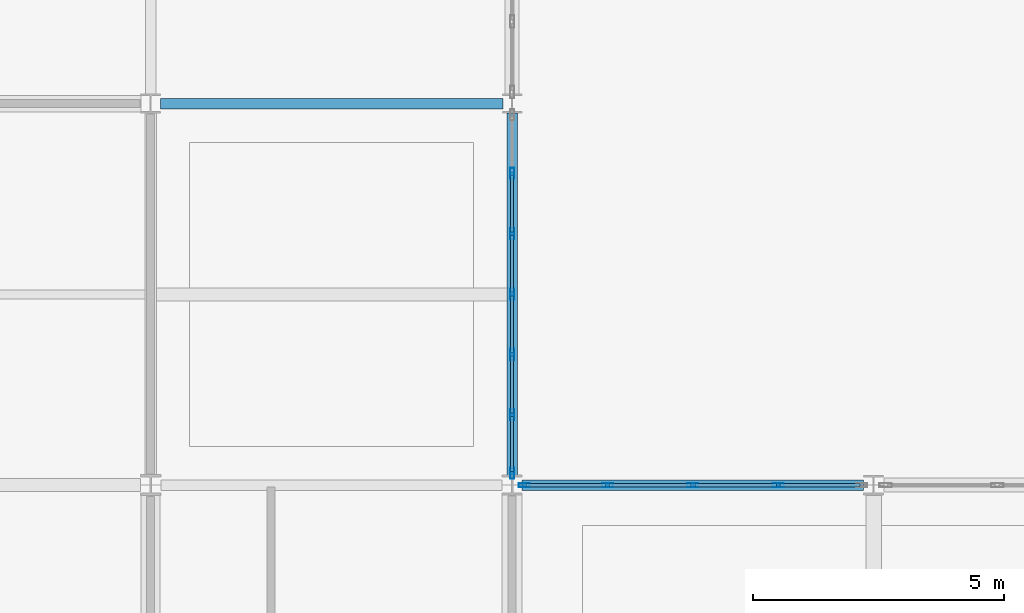
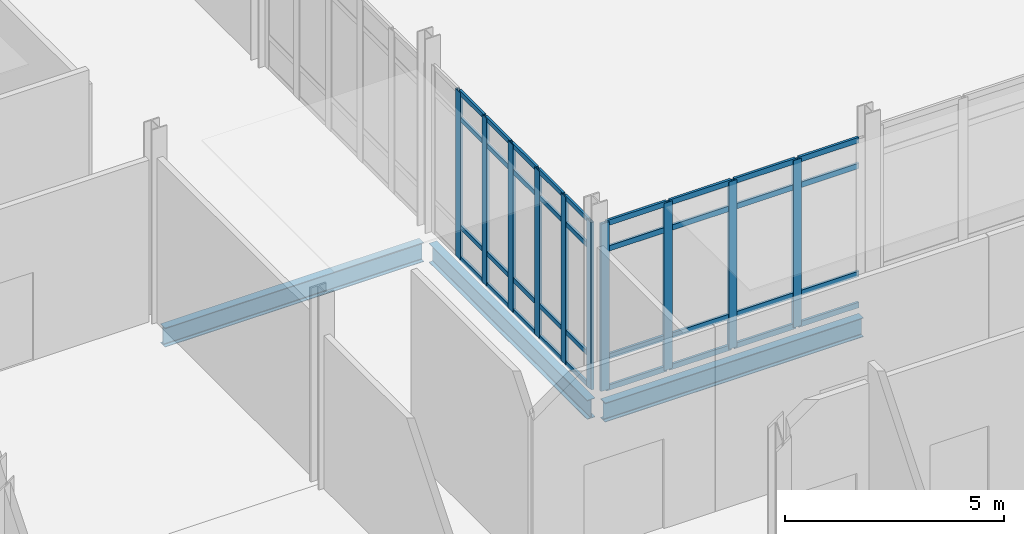
# One storey, part 64 of 229: 46 members, 3 beams, 2 elements without a shape of their own.
"""IFC4 building model written with IfcOpenShell, lengths in metres."""

from ifc_helpers import new_model, si_unit, direction, frame, origin, origin_2d, place, context, subcontext, project, spatial, hollow_rectangle, i_section, extrude, material, layer, layer_set, material_profile, profile_set, type_object, element, aggregate, save


model = new_model("IFC4")

# Units and contexts
model_context = context("Model", 3, precision=1e-05, world=origin(), true_north=direction((0.0, 1.0)))
body_context = subcontext(model_context, "Body", "Model", "MODEL_VIEW")
ifc_project = project(units=[si_unit("LENGTHUNIT", "METRE"), si_unit("AREAUNIT", "SQUARE_METRE"), si_unit("VOLUMEUNIT", "CUBIC_METRE"), si_unit("PLANEANGLEUNIT", "RADIAN"), si_unit("MASSUNIT", "GRAM", prefix="KILO")], contexts=[model_context])

# Site, building, storey
site_placement = place(None, origin())
site = spatial("IfcSite", under=ifc_project, at=site_placement, CompositionType="ELEMENT")
building_placement = place(site_placement, origin())
building = spatial("IfcBuilding", under=site, at=building_placement, Name="Calvrana Isthmian Art Gallery", CompositionType="ELEMENT")
storey_placement = place(building_placement, origin())
storey = spatial("IfcBuildingStorey", under=building, at=storey_placement, Name="L00", CompositionType="ELEMENT", Elevation=0.0)

# Beams
ifc_material_1 = material(Name="Steel ASTM A992 Gr 50", Category="steel")
ifc_material_profile_1 = material_profile(ifc_material_1, i_section(OverallWidth=0.208984375, OverallDepth=0.532958984375, WebThickness=0.01025390625, FlangeThickness=0.015625, FilletRadius=0.02099609375, at=origin_2d()), Name="W21X62")
ifc_profile_set_1 = profile_set([ifc_material_profile_1], Name="Steel ASTM A992 Gr 50")
beam_type = type_object("IfcBeamType", Name="BM-G-W21X62", PredefinedType="BEAM", material=ifc_profile_set_1)
beam_1_placement = place(storey_placement, frame((120.199462890625, 46.800048828125, -0.571533203125), z_axis=(1.0, 0.0, 0.0), x_axis=(0.0, 1.0, 0.0)))
element("IfcBeam", 1, at=beam_1_placement, inside=storey, type_object=beam_type, Name="Girder X L00 16-17/G", PredefinedType="BEAM", context=body_context, shape_type="SweptSolid", body=[
    extrude(i_section(OverallWidth=0.208984375, OverallDepth=0.532958984375, WebThickness=0.01025390625, FlangeThickness=0.015625, FilletRadius=0.02099609375, at=origin_2d()), origin(), (0.0, 0.0, 1.0), 6.797607421875),
])
beam_2_placement = place(storey_placement, frame((112.9970703125, 54.39990234375, -0.571533203125), z_axis=(1.0, 0.0, 0.0), x_axis=(0.0, 1.0, 0.0)))
element("IfcBeam", 2, at=beam_2_placement, inside=storey, type_object=beam_type, Name="Girder X L00 15-16/H", PredefinedType="BEAM", context=body_context, shape_type="SweptSolid", body=[
    extrude(i_section(OverallWidth=0.208984375, OverallDepth=0.532958984375, WebThickness=0.01025390625, FlangeThickness=0.015625, FilletRadius=0.02099609375, at=origin_2d()), origin(), (0.0, 0.0, 1.0), 6.81640625),
])
beam_3_placement = place(storey_placement, frame((120.0, 46.9970703125, -0.571533203125), z_axis=(0.0, 1.0, 0.0), x_axis=(-1.0, 0.0, 0.0)))
element("IfcBeam", 3, at=beam_3_placement, inside=storey, type_object=beam_type, Name="Girder Y L00 16/G-H", PredefinedType="BEAM", context=body_context, shape_type="SweptSolid", body=[
    extrude(i_section(OverallWidth=0.208984375, OverallDepth=0.532958984375, WebThickness=0.01025390625, FlangeThickness=0.015625, FilletRadius=0.02099609375, at=origin_2d()), origin(), (0.0, 0.0, 1.0), 7.21630859375),
])

# Curtain wall, members
ifc_material_2 = material(Name="Anodized bronze aluminium 6063-T6", Category="aluminium")
ifc_layer_1 = layer(ifc_material_2, 0.179931640625, Name="Anodized bronze aluminium 6063-T6")
ifc_layer_set_1 = layer_set([ifc_layer_1], Name="Anodized bronze aluminium 6063-T6")
curtain_wall_type_1 = type_object("IfcCurtainWallType", Name="CW-STICK-068X47", PredefinedType="NOTDEFINED", material=ifc_layer_set_1)
curtain_wall_1_placement = place(storey_placement, origin())
curtain_wall_1 = element("IfcCurtainWall", 4, at=curtain_wall_1_placement, inside=storey, type_object=curtain_wall_type_1, Name="Curtain wall CW-022", PredefinedType="NOTDEFINED")
ifc_material_profile_2 = material_profile(ifc_material_2, hollow_rectangle(XDim=0.074951171875, YDim=0.219970703125, WallThickness=0.0048828125, at=origin_2d()), Name="CWM75X220")
ifc_profile_set_2 = profile_set([ifc_material_profile_2], Name="Anodized bronze aluminium 6063-T6")
member_type_1 = type_object("IfcMemberType", Name="CWM-CWM75X220", PredefinedType="MULLION", material=ifc_profile_set_2)
member_1_placement = place(storey_placement, frame((120.238037109375, 46.800048828125, 0.0), z_axis=(0.0, 0.0, 1.0), x_axis=(0.0, 1.0, 0.0)))
member_1 = element("IfcMember", 5, at=member_1_placement, type_object=member_type_1, Name="CW-022 mullion 1", PredefinedType="MULLION", context=body_context, shape_type="SweptSolid", body=[
    extrude(hollow_rectangle(XDim=0.074951171875, YDim=0.219970703125, WallThickness=0.0048828125, at=origin_2d()), origin(), (0.0, 0.0, 1.0), 4.657958984375),
])
member_2_placement = place(storey_placement, frame((121.900390625, 46.800048828125, 0.0), z_axis=(0.0, 0.0, 1.0), x_axis=(0.0, 1.0, 0.0)))
member_2 = element("IfcMember", 6, at=member_2_placement, type_object=member_type_1, Name="CW-022 mullion 2", PredefinedType="MULLION", context=body_context, shape_type="SweptSolid", body=[
    extrude(hollow_rectangle(XDim=0.074951171875, YDim=0.219970703125, WallThickness=0.0048828125, at=origin_2d()), origin(), (0.0, 0.0, 1.0), 4.657958984375),
])
member_3_placement = place(storey_placement, frame((123.6005859375, 46.800048828125, 0.0), z_axis=(0.0, 0.0, 1.0), x_axis=(0.0, 1.0, 0.0)))
member_3 = element("IfcMember", 7, at=member_3_placement, type_object=member_type_1, Name="CW-022 mullion 3", PredefinedType="MULLION", context=body_context, shape_type="SweptSolid", body=[
    extrude(hollow_rectangle(XDim=0.074951171875, YDim=0.219970703125, WallThickness=0.0048828125, at=origin_2d()), origin(), (0.0, 0.0, 1.0), 4.657958984375),
])
member_4_placement = place(storey_placement, frame((125.300537109375, 46.800048828125, 0.0), z_axis=(0.0, 0.0, 1.0), x_axis=(0.0, 1.0, 0.0)))
member_4 = element("IfcMember", 8, at=member_4_placement, type_object=member_type_1, Name="CW-022 mullion 4", PredefinedType="MULLION", context=body_context, shape_type="SweptSolid", body=[
    extrude(hollow_rectangle(XDim=0.074951171875, YDim=0.219970703125, WallThickness=0.0048828125, at=origin_2d()), origin(), (0.0, 0.0, 1.0), 4.657958984375),
])

ifc_layer_2 = layer(ifc_material_2, 0.179931640625, Name="Anodized bronze aluminium 6063-T6")
ifc_layer_set_2 = layer_set([ifc_layer_2], Name="Anodized bronze aluminium 6063-T6")
curtain_wall_type_2 = type_object("IfcCurtainWallType", Name="CW-STICK-072X47", PredefinedType="NOTDEFINED", material=ifc_layer_set_2)
curtain_wall_2_placement = place(storey_placement, origin())
curtain_wall_2 = element("IfcCurtainWall", 9, at=curtain_wall_2_placement, inside=storey, type_object=curtain_wall_type_2, Name="Curtain wall CW-076", PredefinedType="NOTDEFINED")
member_5_placement = place(storey_placement, frame((120.0, 53.010009765625, 0.0), z_axis=(0.0, 0.0, 1.0), x_axis=(1.0, 0.0, 0.0)))
member_5 = element("IfcMember", 10, at=member_5_placement, type_object=member_type_1, Name="CW-076 mullion 2", PredefinedType="MULLION", context=body_context, shape_type="SweptSolid", body=[
    extrude(hollow_rectangle(XDim=0.074951171875, YDim=0.219970703125, WallThickness=0.0048828125, at=origin_2d()), origin(), (0.0, 0.0, 1.0), 4.657958984375),
])
member_6_placement = place(storey_placement, frame((120.0, 51.807861328125, 0.0), z_axis=(0.0, 0.0, 1.0), x_axis=(1.0, 0.0, 0.0)))
member_6 = element("IfcMember", 11, at=member_6_placement, type_object=member_type_1, Name="CW-076 mullion 3", PredefinedType="MULLION", context=body_context, shape_type="SweptSolid", body=[
    extrude(hollow_rectangle(XDim=0.074951171875, YDim=0.219970703125, WallThickness=0.0048828125, at=origin_2d()), origin(), (0.0, 0.0, 1.0), 4.657958984375),
])
member_7_placement = place(storey_placement, frame((120.0, 50.605712890625, 0.0), z_axis=(0.0, 0.0, 1.0), x_axis=(1.0, 0.0, 0.0)))
member_7 = element("IfcMember", 12, at=member_7_placement, type_object=member_type_1, Name="CW-076 mullion 4", PredefinedType="MULLION", context=body_context, shape_type="SweptSolid", body=[
    extrude(hollow_rectangle(XDim=0.074951171875, YDim=0.219970703125, WallThickness=0.0048828125, at=origin_2d()), origin(), (0.0, 0.0, 1.0), 4.657958984375),
])
member_8_placement = place(storey_placement, frame((120.0, 49.403564453125, 0.0), z_axis=(0.0, 0.0, 1.0), x_axis=(1.0, 0.0, 0.0)))
member_8 = element("IfcMember", 13, at=member_8_placement, type_object=member_type_1, Name="CW-076 mullion 5", PredefinedType="MULLION", context=body_context, shape_type="SweptSolid", body=[
    extrude(hollow_rectangle(XDim=0.074951171875, YDim=0.219970703125, WallThickness=0.0048828125, at=origin_2d()), origin(), (0.0, 0.0, 1.0), 4.657958984375),
])
member_9_placement = place(storey_placement, frame((120.0, 48.20166015625, 0.0), z_axis=(0.0, 0.0, 1.0), x_axis=(1.0, 0.0, 0.0)))
member_9 = element("IfcMember", 14, at=member_9_placement, type_object=member_type_1, Name="CW-076 mullion 6", PredefinedType="MULLION", context=body_context, shape_type="SweptSolid", body=[
    extrude(hollow_rectangle(XDim=0.074951171875, YDim=0.219970703125, WallThickness=0.0048828125, at=origin_2d()), origin(), (0.0, 0.0, 1.0), 4.657958984375),
])
member_10_placement = place(storey_placement, frame((120.0, 47.037109375, 0.0), z_axis=(0.0, 0.0, 1.0), x_axis=(1.0, 0.0, 0.0)))
member_10 = element("IfcMember", 15, at=member_10_placement, type_object=member_type_1, Name="CW-076 mullion 7", PredefinedType="MULLION", context=body_context, shape_type="SweptSolid", body=[
    extrude(hollow_rectangle(XDim=0.074951171875, YDim=0.219970703125, WallThickness=0.0048828125, at=origin_2d()), origin(), (0.0, 0.0, 1.0), 4.657958984375),
])
ifc_material_profile_3 = material_profile(ifc_material_2, hollow_rectangle(XDim=0.06005859375, YDim=0.1298828125, WallThickness=0.00390625, at=origin_2d()), Name="CWT60X130")
ifc_profile_set_3 = profile_set([ifc_material_profile_3], Name="Anodized bronze aluminium 6063-T6")
member_type_2 = type_object("IfcMemberType", Name="CWT-CWT60X130", PredefinedType="USERDEFINED", material=ifc_profile_set_3)
member_11_placement = place(storey_placement, frame((120.0, 52.972412109375, 0.030029296875), z_axis=(0.0, -1.0, 0.0), x_axis=(1.0, 0.0, 0.0)))
member_11 = element("IfcMember", 16, at=member_11_placement, type_object=member_type_2, Name="CW-076 transom 2.1", ObjectType="TRANSOM", PredefinedType="USERDEFINED", context=body_context, shape_type="SweptSolid", body=[
    extrude(hollow_rectangle(XDim=0.06005859375, YDim=0.1298828125, WallThickness=0.00390625, at=origin_2d()), origin(), (0.0, 0.0, 1.0), 1.127197265625),
])
member_12_placement = place(storey_placement, frame((120.0, 52.972412109375, 0.89990234375), z_axis=(0.0, -1.0, 0.0), x_axis=(1.0, 0.0, 0.0)))
member_12 = element("IfcMember", 17, at=member_12_placement, type_object=member_type_2, Name="CW-076 transom 2.2", ObjectType="TRANSOM", PredefinedType="USERDEFINED", context=body_context, shape_type="SweptSolid", body=[
    extrude(hollow_rectangle(XDim=0.06005859375, YDim=0.1298828125, WallThickness=0.00390625, at=origin_2d()), origin(), (0.0, 0.0, 1.0), 1.127197265625),
])
member_13_placement = place(storey_placement, frame((120.0, 52.972412109375, 3.907958984375), z_axis=(0.0, -1.0, 0.0), x_axis=(1.0, 0.0, 0.0)))
member_13 = element("IfcMember", 18, at=member_13_placement, type_object=member_type_2, Name="CW-076 transom 2.3", ObjectType="TRANSOM", PredefinedType="USERDEFINED", context=body_context, shape_type="SweptSolid", body=[
    extrude(hollow_rectangle(XDim=0.06005859375, YDim=0.1298828125, WallThickness=0.00390625, at=origin_2d()), origin(), (0.0, 0.0, 1.0), 1.127197265625),
])
member_14_placement = place(storey_placement, frame((120.0, 52.972412109375, 4.6279296875), z_axis=(0.0, -1.0, 0.0), x_axis=(1.0, 0.0, 0.0)))
member_14 = element("IfcMember", 19, at=member_14_placement, type_object=member_type_2, Name="CW-076 transom 2.4", ObjectType="TRANSOM", PredefinedType="USERDEFINED", context=body_context, shape_type="SweptSolid", body=[
    extrude(hollow_rectangle(XDim=0.06005859375, YDim=0.1298828125, WallThickness=0.00390625, at=origin_2d()), origin(), (0.0, 0.0, 1.0), 1.127197265625),
])
member_15_placement = place(storey_placement, frame((120.0, 51.770263671875, 0.030029296875), z_axis=(0.0, -1.0, 0.0), x_axis=(1.0, 0.0, 0.0)))
member_15 = element("IfcMember", 20, at=member_15_placement, type_object=member_type_2, Name="CW-076 transom 3.1", ObjectType="TRANSOM", PredefinedType="USERDEFINED", context=body_context, shape_type="SweptSolid", body=[
    extrude(hollow_rectangle(XDim=0.06005859375, YDim=0.1298828125, WallThickness=0.00390625, at=origin_2d()), origin(), (0.0, 0.0, 1.0), 1.126953125),
])
member_16_placement = place(storey_placement, frame((120.0, 51.770263671875, 0.89990234375), z_axis=(0.0, -1.0, 0.0), x_axis=(1.0, 0.0, 0.0)))
member_16 = element("IfcMember", 21, at=member_16_placement, type_object=member_type_2, Name="CW-076 transom 3.2", ObjectType="TRANSOM", PredefinedType="USERDEFINED", context=body_context, shape_type="SweptSolid", body=[
    extrude(hollow_rectangle(XDim=0.06005859375, YDim=0.1298828125, WallThickness=0.00390625, at=origin_2d()), origin(), (0.0, 0.0, 1.0), 1.126953125),
])
member_17_placement = place(storey_placement, frame((120.0, 51.770263671875, 3.907958984375), z_axis=(0.0, -1.0, 0.0), x_axis=(1.0, 0.0, 0.0)))
member_17 = element("IfcMember", 22, at=member_17_placement, type_object=member_type_2, Name="CW-076 transom 3.3", ObjectType="TRANSOM", PredefinedType="USERDEFINED", context=body_context, shape_type="SweptSolid", body=[
    extrude(hollow_rectangle(XDim=0.06005859375, YDim=0.1298828125, WallThickness=0.00390625, at=origin_2d()), origin(), (0.0, 0.0, 1.0), 1.126953125),
])
member_18_placement = place(storey_placement, frame((120.0, 51.770263671875, 4.6279296875), z_axis=(0.0, -1.0, 0.0), x_axis=(1.0, 0.0, 0.0)))
member_18 = element("IfcMember", 23, at=member_18_placement, type_object=member_type_2, Name="CW-076 transom 3.4", ObjectType="TRANSOM", PredefinedType="USERDEFINED", context=body_context, shape_type="SweptSolid", body=[
    extrude(hollow_rectangle(XDim=0.06005859375, YDim=0.1298828125, WallThickness=0.00390625, at=origin_2d()), origin(), (0.0, 0.0, 1.0), 1.126953125),
])
member_19_placement = place(storey_placement, frame((120.0, 50.568359375, 0.030029296875), z_axis=(0.0, -1.0, 0.0), x_axis=(1.0, 0.0, 0.0)))
member_19 = element("IfcMember", 24, at=member_19_placement, type_object=member_type_2, Name="CW-076 transom 4.1", ObjectType="TRANSOM", PredefinedType="USERDEFINED", context=body_context, shape_type="SweptSolid", body=[
    extrude(hollow_rectangle(XDim=0.06005859375, YDim=0.1298828125, WallThickness=0.00390625, at=origin_2d()), origin(), (0.0, 0.0, 1.0), 1.127197265625),
])
member_20_placement = place(storey_placement, frame((120.0, 50.568359375, 0.89990234375), z_axis=(0.0, -1.0, 0.0), x_axis=(1.0, 0.0, 0.0)))
member_20 = element("IfcMember", 25, at=member_20_placement, type_object=member_type_2, Name="CW-076 transom 4.2", ObjectType="TRANSOM", PredefinedType="USERDEFINED", context=body_context, shape_type="SweptSolid", body=[
    extrude(hollow_rectangle(XDim=0.06005859375, YDim=0.1298828125, WallThickness=0.00390625, at=origin_2d()), origin(), (0.0, 0.0, 1.0), 1.127197265625),
])
member_21_placement = place(storey_placement, frame((120.0, 50.568359375, 3.907958984375), z_axis=(0.0, -1.0, 0.0), x_axis=(1.0, 0.0, 0.0)))
member_21 = element("IfcMember", 26, at=member_21_placement, type_object=member_type_2, Name="CW-076 transom 4.3", ObjectType="TRANSOM", PredefinedType="USERDEFINED", context=body_context, shape_type="SweptSolid", body=[
    extrude(hollow_rectangle(XDim=0.06005859375, YDim=0.1298828125, WallThickness=0.00390625, at=origin_2d()), origin(), (0.0, 0.0, 1.0), 1.127197265625),
])
member_22_placement = place(storey_placement, frame((120.0, 50.568359375, 4.6279296875), z_axis=(0.0, -1.0, 0.0), x_axis=(1.0, 0.0, 0.0)))
member_22 = element("IfcMember", 27, at=member_22_placement, type_object=member_type_2, Name="CW-076 transom 4.4", ObjectType="TRANSOM", PredefinedType="USERDEFINED", context=body_context, shape_type="SweptSolid", body=[
    extrude(hollow_rectangle(XDim=0.06005859375, YDim=0.1298828125, WallThickness=0.00390625, at=origin_2d()), origin(), (0.0, 0.0, 1.0), 1.127197265625),
])
member_23_placement = place(storey_placement, frame((120.0, 49.3662109375, 0.030029296875), z_axis=(0.0, -1.0, 0.0), x_axis=(1.0, 0.0, 0.0)))
member_23 = element("IfcMember", 28, at=member_23_placement, type_object=member_type_2, Name="CW-076 transom 5.1", ObjectType="TRANSOM", PredefinedType="USERDEFINED", context=body_context, shape_type="SweptSolid", body=[
    extrude(hollow_rectangle(XDim=0.06005859375, YDim=0.1298828125, WallThickness=0.00390625, at=origin_2d()), origin(), (0.0, 0.0, 1.0), 1.127197265625),
])
member_24_placement = place(storey_placement, frame((120.0, 49.3662109375, 0.89990234375), z_axis=(0.0, -1.0, 0.0), x_axis=(1.0, 0.0, 0.0)))
member_24 = element("IfcMember", 29, at=member_24_placement, type_object=member_type_2, Name="CW-076 transom 5.2", ObjectType="TRANSOM", PredefinedType="USERDEFINED", context=body_context, shape_type="SweptSolid", body=[
    extrude(hollow_rectangle(XDim=0.06005859375, YDim=0.1298828125, WallThickness=0.00390625, at=origin_2d()), origin(), (0.0, 0.0, 1.0), 1.127197265625),
])
member_25_placement = place(storey_placement, frame((120.0, 49.3662109375, 3.907958984375), z_axis=(0.0, -1.0, 0.0), x_axis=(1.0, 0.0, 0.0)))
member_25 = element("IfcMember", 30, at=member_25_placement, type_object=member_type_2, Name="CW-076 transom 5.3", ObjectType="TRANSOM", PredefinedType="USERDEFINED", context=body_context, shape_type="SweptSolid", body=[
    extrude(hollow_rectangle(XDim=0.06005859375, YDim=0.1298828125, WallThickness=0.00390625, at=origin_2d()), origin(), (0.0, 0.0, 1.0), 1.127197265625),
])
member_26_placement = place(storey_placement, frame((120.0, 49.3662109375, 4.6279296875), z_axis=(0.0, -1.0, 0.0), x_axis=(1.0, 0.0, 0.0)))
member_26 = element("IfcMember", 31, at=member_26_placement, type_object=member_type_2, Name="CW-076 transom 5.4", ObjectType="TRANSOM", PredefinedType="USERDEFINED", context=body_context, shape_type="SweptSolid", body=[
    extrude(hollow_rectangle(XDim=0.06005859375, YDim=0.1298828125, WallThickness=0.00390625, at=origin_2d()), origin(), (0.0, 0.0, 1.0), 1.127197265625),
])
member_27_placement = place(storey_placement, frame((120.0, 48.1640625, 0.030029296875), z_axis=(0.0, -1.0, 0.0), x_axis=(1.0, 0.0, 0.0)))
member_27 = element("IfcMember", 32, at=member_27_placement, type_object=member_type_2, Name="CW-076 transom 6.1", ObjectType="TRANSOM", PredefinedType="USERDEFINED", context=body_context, shape_type="SweptSolid", body=[
    extrude(hollow_rectangle(XDim=0.06005859375, YDim=0.1298828125, WallThickness=0.00390625, at=origin_2d()), origin(), (0.0, 0.0, 1.0), 1.089599609375),
])
member_28_placement = place(storey_placement, frame((120.0, 48.1640625, 0.89990234375), z_axis=(0.0, -1.0, 0.0), x_axis=(1.0, 0.0, 0.0)))
member_28 = element("IfcMember", 33, at=member_28_placement, type_object=member_type_2, Name="CW-076 transom 6.2", ObjectType="TRANSOM", PredefinedType="USERDEFINED", context=body_context, shape_type="SweptSolid", body=[
    extrude(hollow_rectangle(XDim=0.06005859375, YDim=0.1298828125, WallThickness=0.00390625, at=origin_2d()), origin(), (0.0, 0.0, 1.0), 1.089599609375),
])
member_29_placement = place(storey_placement, frame((120.0, 48.1640625, 3.907958984375), z_axis=(0.0, -1.0, 0.0), x_axis=(1.0, 0.0, 0.0)))
member_29 = element("IfcMember", 34, at=member_29_placement, type_object=member_type_2, Name="CW-076 transom 6.3", ObjectType="TRANSOM", PredefinedType="USERDEFINED", context=body_context, shape_type="SweptSolid", body=[
    extrude(hollow_rectangle(XDim=0.06005859375, YDim=0.1298828125, WallThickness=0.00390625, at=origin_2d()), origin(), (0.0, 0.0, 1.0), 1.089599609375),
])
member_30_placement = place(storey_placement, frame((120.0, 48.1640625, 4.6279296875), z_axis=(0.0, -1.0, 0.0), x_axis=(1.0, 0.0, 0.0)))
member_30 = element("IfcMember", 35, at=member_30_placement, type_object=member_type_2, Name="CW-076 transom 6.4", ObjectType="TRANSOM", PredefinedType="USERDEFINED", context=body_context, shape_type="SweptSolid", body=[
    extrude(hollow_rectangle(XDim=0.06005859375, YDim=0.1298828125, WallThickness=0.00390625, at=origin_2d()), origin(), (0.0, 0.0, 1.0), 1.089599609375),
])
aggregate(curtain_wall_2, [member_5, member_6, member_7, member_8, member_9, member_10, member_11, member_12, member_13, member_14, member_15, member_16, member_17, member_18, member_19, member_20, member_21, member_22, member_23, member_24, member_25, member_26, member_27, member_28, member_29, member_30])

# Member
ifc_material_profile_4 = material_profile(ifc_material_2, hollow_rectangle(XDim=0.06494140625, YDim=0.14990234375, WallThickness=0.00390625, at=origin_2d()), Name="CWT65X150")
ifc_profile_set_4 = profile_set([ifc_material_profile_4], Name="Anodized bronze aluminium 6063-T6")
member_type_3 = type_object("IfcMemberType", Name="CWT-CWT65X150", PredefinedType="USERDEFINED", material=ifc_profile_set_4)
member_31_placement = place(storey_placement, frame((120.275390625, 46.800048828125, 0.032470703125), z_axis=(1.0, 0.0, 0.0), x_axis=(0.0, 1.0, 0.0)))
member_31 = element("IfcMember", 36, at=member_31_placement, type_object=member_type_3, Name="CW-022 transom 1.1", ObjectType="TRANSOM", PredefinedType="USERDEFINED", context=body_context, shape_type="SweptSolid", body=[
    extrude(hollow_rectangle(XDim=0.06494140625, YDim=0.14990234375, WallThickness=0.00390625, at=origin_2d()), origin(), (0.0, 0.0, 1.0), 1.587646484375),
])

member_32_placement = place(storey_placement, frame((120.275390625, 46.800048828125, 0.89990234375), z_axis=(1.0, 0.0, 0.0), x_axis=(0.0, 1.0, 0.0)))
member_32 = element("IfcMember", 37, at=member_32_placement, type_object=member_type_3, Name="CW-022 transom 1.2", ObjectType="TRANSOM", PredefinedType="USERDEFINED", context=body_context, shape_type="SweptSolid", body=[
    extrude(hollow_rectangle(XDim=0.06494140625, YDim=0.14990234375, WallThickness=0.00390625, at=origin_2d()), origin(), (0.0, 0.0, 1.0), 1.587646484375),
])

member_33_placement = place(storey_placement, frame((120.275390625, 46.800048828125, 3.907958984375), z_axis=(1.0, 0.0, 0.0), x_axis=(0.0, 1.0, 0.0)))
member_33 = element("IfcMember", 38, at=member_33_placement, type_object=member_type_3, Name="CW-022 transom 1.3", ObjectType="TRANSOM", PredefinedType="USERDEFINED", context=body_context, shape_type="SweptSolid", body=[
    extrude(hollow_rectangle(XDim=0.06494140625, YDim=0.14990234375, WallThickness=0.00390625, at=origin_2d()), origin(), (0.0, 0.0, 1.0), 1.587646484375),
])

member_34_placement = place(storey_placement, frame((120.275390625, 46.800048828125, 4.62548828125), z_axis=(1.0, 0.0, 0.0), x_axis=(0.0, 1.0, 0.0)))
member_34 = element("IfcMember", 39, at=member_34_placement, type_object=member_type_3, Name="CW-022 transom 1.4", ObjectType="TRANSOM", PredefinedType="USERDEFINED", context=body_context, shape_type="SweptSolid", body=[
    extrude(hollow_rectangle(XDim=0.06494140625, YDim=0.14990234375, WallThickness=0.00390625, at=origin_2d()), origin(), (0.0, 0.0, 1.0), 1.587646484375),
])

member_35_placement = place(storey_placement, frame((121.93798828125, 46.800048828125, 0.032470703125), z_axis=(1.0, 0.0, 0.0), x_axis=(0.0, 1.0, 0.0)))
member_35 = element("IfcMember", 40, at=member_35_placement, type_object=member_type_3, Name="CW-022 transom 2.1", ObjectType="TRANSOM", PredefinedType="USERDEFINED", context=body_context, shape_type="SweptSolid", body=[
    extrude(hollow_rectangle(XDim=0.06494140625, YDim=0.14990234375, WallThickness=0.00390625, at=origin_2d()), origin(), (0.0, 0.0, 1.0), 1.625),
])

member_36_placement = place(storey_placement, frame((121.93798828125, 46.800048828125, 0.89990234375), z_axis=(1.0, 0.0, 0.0), x_axis=(0.0, 1.0, 0.0)))
member_36 = element("IfcMember", 41, at=member_36_placement, type_object=member_type_3, Name="CW-022 transom 2.2", ObjectType="TRANSOM", PredefinedType="USERDEFINED", context=body_context, shape_type="SweptSolid", body=[
    extrude(hollow_rectangle(XDim=0.06494140625, YDim=0.14990234375, WallThickness=0.00390625, at=origin_2d()), origin(), (0.0, 0.0, 1.0), 1.625),
])

member_37_placement = place(storey_placement, frame((121.93798828125, 46.800048828125, 3.907958984375), z_axis=(1.0, 0.0, 0.0), x_axis=(0.0, 1.0, 0.0)))
member_37 = element("IfcMember", 42, at=member_37_placement, type_object=member_type_3, Name="CW-022 transom 2.3", ObjectType="TRANSOM", PredefinedType="USERDEFINED", context=body_context, shape_type="SweptSolid", body=[
    extrude(hollow_rectangle(XDim=0.06494140625, YDim=0.14990234375, WallThickness=0.00390625, at=origin_2d()), origin(), (0.0, 0.0, 1.0), 1.625),
])

member_38_placement = place(storey_placement, frame((121.93798828125, 46.800048828125, 4.62548828125), z_axis=(1.0, 0.0, 0.0), x_axis=(0.0, 1.0, 0.0)))
member_38 = element("IfcMember", 43, at=member_38_placement, type_object=member_type_3, Name="CW-022 transom 2.4", ObjectType="TRANSOM", PredefinedType="USERDEFINED", context=body_context, shape_type="SweptSolid", body=[
    extrude(hollow_rectangle(XDim=0.06494140625, YDim=0.14990234375, WallThickness=0.00390625, at=origin_2d()), origin(), (0.0, 0.0, 1.0), 1.625),
])

member_39_placement = place(storey_placement, frame((123.637939453125, 46.800048828125, 0.032470703125), z_axis=(1.0, 0.0, 0.0), x_axis=(0.0, 1.0, 0.0)))
member_39 = element("IfcMember", 44, at=member_39_placement, type_object=member_type_3, Name="CW-022 transom 3.1", ObjectType="TRANSOM", PredefinedType="USERDEFINED", context=body_context, shape_type="SweptSolid", body=[
    extrude(hollow_rectangle(XDim=0.06494140625, YDim=0.14990234375, WallThickness=0.00390625, at=origin_2d()), origin(), (0.0, 0.0, 1.0), 1.625),
])

member_40_placement = place(storey_placement, frame((123.637939453125, 46.800048828125, 0.89990234375), z_axis=(1.0, 0.0, 0.0), x_axis=(0.0, 1.0, 0.0)))
member_40 = element("IfcMember", 45, at=member_40_placement, type_object=member_type_3, Name="CW-022 transom 3.2", ObjectType="TRANSOM", PredefinedType="USERDEFINED", context=body_context, shape_type="SweptSolid", body=[
    extrude(hollow_rectangle(XDim=0.06494140625, YDim=0.14990234375, WallThickness=0.00390625, at=origin_2d()), origin(), (0.0, 0.0, 1.0), 1.625),
])

member_41_placement = place(storey_placement, frame((123.637939453125, 46.800048828125, 3.907958984375), z_axis=(1.0, 0.0, 0.0), x_axis=(0.0, 1.0, 0.0)))
member_41 = element("IfcMember", 46, at=member_41_placement, type_object=member_type_3, Name="CW-022 transom 3.3", ObjectType="TRANSOM", PredefinedType="USERDEFINED", context=body_context, shape_type="SweptSolid", body=[
    extrude(hollow_rectangle(XDim=0.06494140625, YDim=0.14990234375, WallThickness=0.00390625, at=origin_2d()), origin(), (0.0, 0.0, 1.0), 1.625),
])

member_42_placement = place(storey_placement, frame((123.637939453125, 46.800048828125, 4.62548828125), z_axis=(1.0, 0.0, 0.0), x_axis=(0.0, 1.0, 0.0)))
member_42 = element("IfcMember", 47, at=member_42_placement, type_object=member_type_3, Name="CW-022 transom 3.4", ObjectType="TRANSOM", PredefinedType="USERDEFINED", context=body_context, shape_type="SweptSolid", body=[
    extrude(hollow_rectangle(XDim=0.06494140625, YDim=0.14990234375, WallThickness=0.00390625, at=origin_2d()), origin(), (0.0, 0.0, 1.0), 1.625),
])

member_43_placement = place(storey_placement, frame((125.337890625, 46.800048828125, 0.032470703125), z_axis=(1.0, 0.0, 0.0), x_axis=(0.0, 1.0, 0.0)))
member_43 = element("IfcMember", 48, at=member_43_placement, type_object=member_type_3, Name="CW-022 transom 4.1", ObjectType="TRANSOM", PredefinedType="USERDEFINED", context=body_context, shape_type="SweptSolid", body=[
    extrude(hollow_rectangle(XDim=0.06494140625, YDim=0.14990234375, WallThickness=0.00390625, at=origin_2d()), origin(), (0.0, 0.0, 1.0), 1.587646484375),
])

member_44_placement = place(storey_placement, frame((125.337890625, 46.800048828125, 0.89990234375), z_axis=(1.0, 0.0, 0.0), x_axis=(0.0, 1.0, 0.0)))
member_44 = element("IfcMember", 49, at=member_44_placement, type_object=member_type_3, Name="CW-022 transom 4.2", ObjectType="TRANSOM", PredefinedType="USERDEFINED", context=body_context, shape_type="SweptSolid", body=[
    extrude(hollow_rectangle(XDim=0.06494140625, YDim=0.14990234375, WallThickness=0.00390625, at=origin_2d()), origin(), (0.0, 0.0, 1.0), 1.587646484375),
])

member_45_placement = place(storey_placement, frame((125.337890625, 46.800048828125, 3.907958984375), z_axis=(1.0, 0.0, 0.0), x_axis=(0.0, 1.0, 0.0)))
member_45 = element("IfcMember", 50, at=member_45_placement, type_object=member_type_3, Name="CW-022 transom 4.3", ObjectType="TRANSOM", PredefinedType="USERDEFINED", context=body_context, shape_type="SweptSolid", body=[
    extrude(hollow_rectangle(XDim=0.06494140625, YDim=0.14990234375, WallThickness=0.00390625, at=origin_2d()), origin(), (0.0, 0.0, 1.0), 1.587646484375),
])

member_46_placement = place(storey_placement, frame((125.337890625, 46.800048828125, 4.62548828125), z_axis=(1.0, 0.0, 0.0), x_axis=(0.0, 1.0, 0.0)))
member_46 = element("IfcMember", 51, at=member_46_placement, type_object=member_type_3, Name="CW-022 transom 4.4", ObjectType="TRANSOM", PredefinedType="USERDEFINED", context=body_context, shape_type="SweptSolid", body=[
    extrude(hollow_rectangle(XDim=0.06494140625, YDim=0.14990234375, WallThickness=0.00390625, at=origin_2d()), origin(), (0.0, 0.0, 1.0), 1.587646484375),
])

aggregate(curtain_wall_1, [member_1, member_2, member_3, member_4, member_31, member_32, member_33, member_34, member_35, member_36, member_37, member_38, member_39, member_40, member_41, member_42, member_43, member_44, member_45, member_46])

save(model, "model.ifc")
